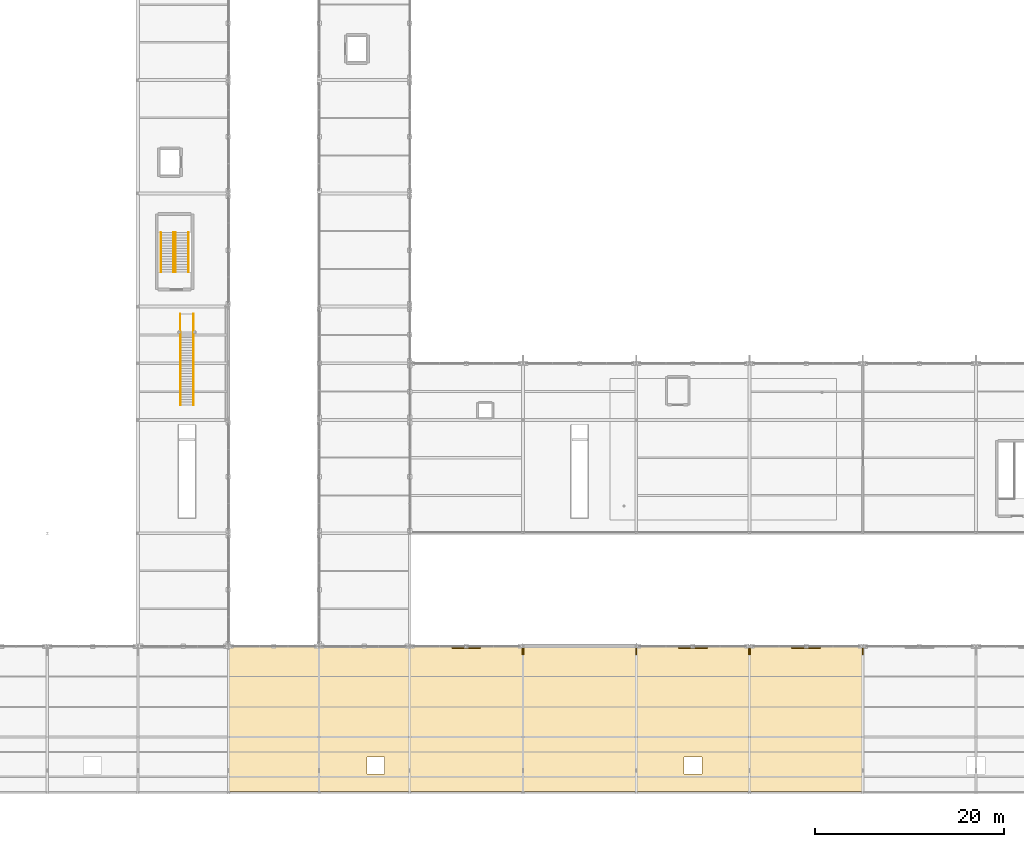
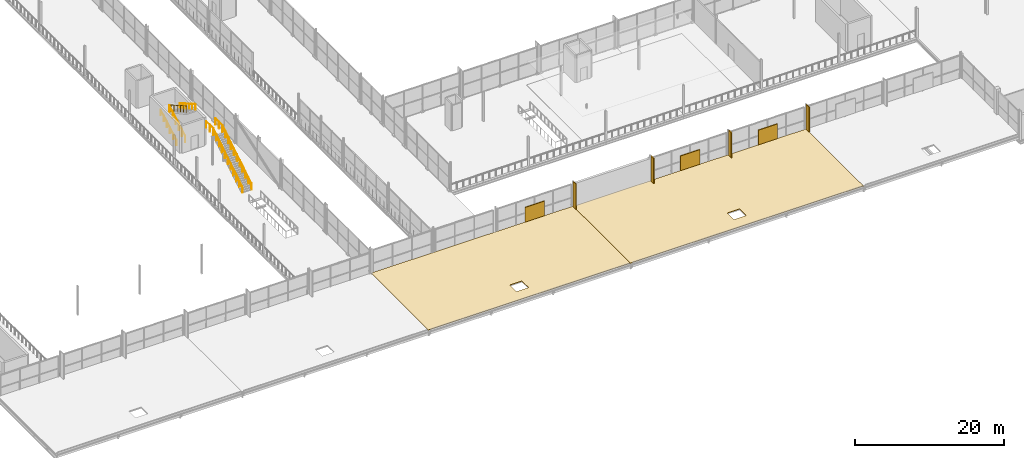
# One storey, part 153 of 159: 8 railings, 6 coverings, 3 shading devices.
"""IFC4 building model written with IfcOpenShell, lengths in metres."""

from ifc_helpers import new_model, si_unit, direction, frame, origin, origin_2d, place, context, subcontext, project, spatial, polyline, rectangle, circle, outline, extrude, material, layer, layer_set, type_object, element, save


model = new_model("IFC4")

# Units and contexts
model_context = context("Model", 3, precision=1e-05, world=origin(), true_north=direction((0.0, 1.0)))
body_context = subcontext(model_context, "Body", "Model", "MODEL_VIEW")
ifc_project = project(units=[si_unit("LENGTHUNIT", "METRE"), si_unit("AREAUNIT", "SQUARE_METRE"), si_unit("VOLUMEUNIT", "CUBIC_METRE"), si_unit("PLANEANGLEUNIT", "RADIAN"), si_unit("MASSUNIT", "GRAM", prefix="KILO")], contexts=[model_context])

# Site, building, storey
site_placement = place(None, origin())
site = spatial("IfcSite", under=ifc_project, at=site_placement, CompositionType="ELEMENT")
building_placement = place(site_placement, origin())
building = spatial("IfcBuilding", under=site, at=building_placement, Name="Merenkruunu Market Hall", CompositionType="ELEMENT")
storey_placement = place(building_placement, frame((0.0, 0.0, 5.39990234375)))
storey = spatial("IfcBuildingStorey", under=building, at=storey_placement, Name="L01", CompositionType="ELEMENT", Elevation=5.39990234375)

# Coverings
ifc_material_1 = material(Name="Precast concrete C40/50", Category="concrete")
ifc_layer_1 = layer(ifc_material_1, 0.139892578125)
ifc_layer_set_1 = layer_set([ifc_layer_1], Name="Precast concrete C40/50")
covering_type_1 = type_object("IfcCoveringType", Name="Architectural Precast Sun Fin CLD02", PredefinedType="CLADDING", material=ifc_layer_set_1)
covering_1_placement = place(storey_placement, frame((0.0, 0.0, 0.68017578125)))
element("IfcCovering", 1, at=covering_1_placement, inside=storey, type_object=covering_type_1, Name="FIN-S-L01-053", PredefinedType="CLADDING", context=body_context, shape_type="SweptSolid", body=[
    extrude(outline(polyline([(88.72998046875, 14.72998046875), (88.8701171875, 14.72998046875), (88.8701171875, 15.451904296875), (88.72998046875, 15.451904296875), (88.72998046875, 14.72998046875)])), origin(), (0.0, 0.0, 1.0), 4.119873046875),
])
covering_2_placement = place(storey_placement, frame((0.0, 0.0, 0.68017578125)))
element("IfcCovering", 2, at=covering_2_placement, inside=storey, type_object=covering_type_1, Name="FIN-S-L01-056", PredefinedType="CLADDING", context=body_context, shape_type="SweptSolid", body=[
    extrude(outline(polyline([(100.72998046875, 14.72998046875), (100.8701171875, 14.72998046875), (100.8701171875, 15.451904296875), (100.72998046875, 15.451904296875), (100.72998046875, 14.72998046875)])), origin(), (0.0, 0.0, 1.0), 4.119873046875),
])
covering_3_placement = place(storey_placement, frame((0.0, 0.0, 0.68017578125)))
element("IfcCovering", 3, at=covering_3_placement, inside=storey, type_object=covering_type_1, Name="FIN-S-L01-059", PredefinedType="CLADDING", context=body_context, shape_type="SweptSolid", body=[
    extrude(outline(polyline([(112.72998046875, 14.72998046875), (112.8701171875, 14.72998046875), (112.8701171875, 15.451904296875), (112.72998046875, 15.451904296875), (112.72998046875, 14.72998046875)])), origin(), (0.0, 0.0, 1.0), 4.119873046875),
])
covering_4_placement = place(storey_placement, frame((0.0, 0.0, 0.68017578125)))
element("IfcCovering", 4, at=covering_4_placement, inside=storey, type_object=covering_type_1, Name="FIN-S-L01-062", PredefinedType="CLADDING", context=body_context, shape_type="SweptSolid", body=[
    extrude(outline(polyline([(124.72998046875, 14.72998046875), (124.8701171875, 14.72998046875), (124.8701171875, 15.451904296875), (124.72998046875, 15.451904296875), (124.72998046875, 14.72998046875)])), origin(), (0.0, 0.0, 1.0), 4.119873046875),
])

# Railings
ifc_material_2 = material(Name="Brushed stainless steel", Category="steel")
railing_type_1 = type_object("IfcRailingType", Name="Gallery Balustrade Guard GR01", PredefinedType="BALUSTRADE", material=ifc_material_2)
railing_1_placement = place(storey_placement, frame((51.7900390625, 55.25, 0.0)))
element("IfcRailing", 5, at=railing_1_placement, inside=storey, type_object=railing_type_1, Name="RAIL-L01-0023", PredefinedType="BALUSTRADE", context=body_context, shape_type="SweptSolid", body=[
    extrude(circle(Radius=0.02392578125, at=origin_2d()), frame((0.0, 0.0, 1.076171875), z_axis=(0.0, 0.868227612608, 0.496166114024), x_axis=(-1.0, 0.0, 0.0)), (0.0, 0.0, 1.0), 4.83740234375),
    extrude(circle(Radius=0.02099609375, at=origin_2d()), origin(), (0.0, 0.0, 1.0), 1.052001953125),
    extrude(circle(Radius=0.02099609375, at=origin_2d()), frame((0.0, 0.840087890625, 0.47998046875)), (0.0, 0.0, 1.0), 1.052001953125),
    extrude(circle(Radius=0.02099609375, at=origin_2d()), frame((0.0, 1.679931640625, 0.9599609375)), (0.0, 0.0, 1.0), 1.052001953125),
    extrude(circle(Radius=0.02099609375, at=origin_2d()), frame((0.0, 2.52001953125, 1.440185546875)), (0.0, 0.0, 1.0), 1.052001953125),
    extrude(circle(Radius=0.02099609375, at=origin_2d()), frame((0.0, 3.35986328125, 1.920166015625)), (0.0, 0.0, 1.0), 1.052001953125),
    extrude(circle(Radius=0.02099609375, at=origin_2d()), frame((0.0, 4.199951171875, 2.400146484375)), (0.0, 0.0, 1.0), 1.052001953125),
])
railing_2_placement = place(storey_placement, frame((52.010009765625, 59.449951171875, 2.400146484375)))
element("IfcRailing", 6, at=railing_2_placement, inside=storey, type_object=railing_type_1, Name="RAIL-L01-0024", PredefinedType="BALUSTRADE", context=body_context, shape_type="SweptSolid", body=[
    extrude(circle(Radius=0.02392578125, at=origin_2d()), frame((0.0, 0.0, 1.076171875), z_axis=(0.0, -0.868249353848, 0.496128067682), x_axis=(1.0, 0.0, 0.0)), (0.0, 0.0, 1.0), 4.837158203125),
    extrude(circle(Radius=0.02099609375, at=origin_2d()), origin(), (0.0, 0.0, 1.0), 1.052001953125),
    extrude(circle(Radius=0.02099609375, at=origin_2d()), frame((0.0, -0.840087890625, 0.47998046875)), (0.0, 0.0, 1.0), 1.052001953125),
    extrude(circle(Radius=0.02099609375, at=origin_2d()), frame((0.0, -1.679931640625, 0.9599609375)), (0.0, 0.0, 1.0), 1.052001953125),
    extrude(circle(Radius=0.02099609375, at=origin_2d()), frame((0.0, -2.52001953125, 1.43994140625)), (0.0, 0.0, 1.0), 1.052001953125),
    extrude(circle(Radius=0.02099609375, at=origin_2d()), frame((0.0, -3.35986328125, 1.919921875)), (0.0, 0.0, 1.0), 1.052001953125),
    extrude(circle(Radius=0.02099609375, at=origin_2d()), frame((0.0, -4.199951171875, 2.39990234375)), (0.0, 0.0, 1.0), 1.052001953125),
])
railing_3_placement = place(storey_placement, frame((52.489990234375, 41.199951171875, 0.0)))
element("IfcRailing", 7, at=railing_3_placement, inside=storey, type_object=railing_type_1, Name="RAIL-L01-0114", PredefinedType="BALUSTRADE", context=body_context, shape_type="SweptSolid", body=[
    extrude(circle(Radius=0.02392578125, at=origin_2d()), frame((0.0, 0.0, 1.076171875), z_axis=(0.0, 0.848612960753, 0.529014217996), x_axis=(-1.0, 0.0, 0.0)), (0.0, 0.0, 1.0), 9.073486328125),
    extrude(circle(Radius=0.02392578125, at=origin_2d()), frame((0.0, 7.699951171875, 5.8759765625), z_axis=(0.0, 1.0, 0.0), x_axis=(-1.0, 0.0, 0.0)), (0.0, 0.0, 1.0), 1.93017578125),
    extrude(circle(Radius=0.02099609375, at=origin_2d()), origin(), (0.0, 0.0, 1.0), 1.052001953125),
    extrude(circle(Radius=0.02099609375, at=origin_2d()), frame((0.0, 0.77001953125, 0.47998046875)), (0.0, 0.0, 1.0), 1.052001953125),
    extrude(circle(Radius=0.02099609375, at=origin_2d()), frame((0.0, 1.5400390625, 0.9599609375)), (0.0, 0.0, 1.0), 1.052001953125),
    extrude(circle(Radius=0.02099609375, at=origin_2d()), frame((0.0, 2.31005859375, 1.43994140625)), (0.0, 0.0, 1.0), 1.052001953125),
    extrude(circle(Radius=0.02099609375, at=origin_2d()), frame((0.0, 3.080078125, 1.919921875)), (0.0, 0.0, 1.0), 1.052001953125),
    extrude(circle(Radius=0.02099609375, at=origin_2d()), frame((0.0, 3.85009765625, 2.39990234375)), (0.0, 0.0, 1.0), 1.052001953125),
    extrude(circle(Radius=0.02099609375, at=origin_2d()), frame((0.0, 4.619873046875, 2.880126953125)), (0.0, 0.0, 1.0), 1.052001953125),
    extrude(circle(Radius=0.02099609375, at=origin_2d()), frame((0.0, 5.389892578125, 3.360107421875)), (0.0, 0.0, 1.0), 1.052001953125),
    extrude(circle(Radius=0.02099609375, at=origin_2d()), frame((0.0, 6.159912109375, 3.840087890625)), (0.0, 0.0, 1.0), 1.052001953125),
    extrude(circle(Radius=0.02099609375, at=origin_2d()), frame((0.0, 6.929931640625, 4.320068359375)), (0.0, 0.0, 1.0), 1.052001953125),
    extrude(circle(Radius=0.02099609375, at=origin_2d()), frame((0.0, 7.699951171875, 4.800048828125)), (0.0, 0.0, 1.0), 1.052001953125),
    extrude(circle(Radius=0.02099609375, at=origin_2d()), frame((0.0, 8.6650390625, 4.800048828125)), (0.0, 0.0, 1.0), 1.052001953125),
    extrude(circle(Radius=0.02099609375, at=origin_2d()), frame((0.0, 9.630126953125, 4.800048828125)), (0.0, 0.0, 1.0), 1.052001953125),
])
railing_4_placement = place(storey_placement, frame((53.909912109375, 41.199951171875, 0.0)))
element("IfcRailing", 8, at=railing_4_placement, inside=storey, type_object=railing_type_1, Name="RAIL-L01-0116", PredefinedType="BALUSTRADE", context=body_context, shape_type="SweptSolid", body=[
    extrude(circle(Radius=0.02392578125, at=origin_2d()), frame((0.0, 0.0, 1.076171875), z_axis=(0.0, 0.848612960753, 0.529014217996), x_axis=(-1.0, 0.0, 0.0)), (0.0, 0.0, 1.0), 9.073486328125),
    extrude(circle(Radius=0.02392578125, at=origin_2d()), frame((0.0, 7.699951171875, 5.8759765625), z_axis=(0.0, 1.0, 0.0), x_axis=(-1.0, 0.0, 0.0)), (0.0, 0.0, 1.0), 1.93017578125),
    extrude(circle(Radius=0.02099609375, at=origin_2d()), origin(), (0.0, 0.0, 1.0), 1.052001953125),
    extrude(circle(Radius=0.02099609375, at=origin_2d()), frame((0.0, 0.77001953125, 0.47998046875)), (0.0, 0.0, 1.0), 1.052001953125),
    extrude(circle(Radius=0.02099609375, at=origin_2d()), frame((0.0, 1.5400390625, 0.9599609375)), (0.0, 0.0, 1.0), 1.052001953125),
    extrude(circle(Radius=0.02099609375, at=origin_2d()), frame((0.0, 2.31005859375, 1.43994140625)), (0.0, 0.0, 1.0), 1.052001953125),
    extrude(circle(Radius=0.02099609375, at=origin_2d()), frame((0.0, 3.080078125, 1.919921875)), (0.0, 0.0, 1.0), 1.052001953125),
    extrude(circle(Radius=0.02099609375, at=origin_2d()), frame((0.0, 3.85009765625, 2.39990234375)), (0.0, 0.0, 1.0), 1.052001953125),
    extrude(circle(Radius=0.02099609375, at=origin_2d()), frame((0.0, 4.619873046875, 2.880126953125)), (0.0, 0.0, 1.0), 1.052001953125),
    extrude(circle(Radius=0.02099609375, at=origin_2d()), frame((0.0, 5.389892578125, 3.360107421875)), (0.0, 0.0, 1.0), 1.052001953125),
    extrude(circle(Radius=0.02099609375, at=origin_2d()), frame((0.0, 6.159912109375, 3.840087890625)), (0.0, 0.0, 1.0), 1.052001953125),
    extrude(circle(Radius=0.02099609375, at=origin_2d()), frame((0.0, 6.929931640625, 4.320068359375)), (0.0, 0.0, 1.0), 1.052001953125),
    extrude(circle(Radius=0.02099609375, at=origin_2d()), frame((0.0, 7.699951171875, 4.800048828125)), (0.0, 0.0, 1.0), 1.052001953125),
    extrude(circle(Radius=0.02099609375, at=origin_2d()), frame((0.0, 8.6650390625, 4.800048828125)), (0.0, 0.0, 1.0), 1.052001953125),
    extrude(circle(Radius=0.02099609375, at=origin_2d()), frame((0.0, 9.630126953125, 4.800048828125)), (0.0, 0.0, 1.0), 1.052001953125),
])

# Coverings
ifc_material_3 = material(Name="High-albedo white steel roof cladding", Category="steel")
ifc_layer_2 = layer(ifc_material_3, 0.080078125)
ifc_layer_set_2 = layer_set([ifc_layer_2], Name="High-albedo white steel roof cladding")
covering_type_2 = type_object("IfcCoveringType", Name="Insulated White Diamond Roof Panel RFG01", PredefinedType="ROOFING", material=ifc_layer_set_2)
covering_5_placement = place(storey_placement, frame((0.0, 0.0, 0.6005859375)))
element("IfcCovering", 9, at=covering_5_placement, inside=storey, type_object=covering_type_2, Name="COV-RFG-V6-03", PredefinedType="ROOFING", context=body_context, shape_type="SweptSolid", body=[
    extrude(outline(polyline([(57.60009765625, 0.25), (88.800048828125, 0.25), (88.800048828125, 15.580078125), (57.60009765625, 15.580078125), (57.60009765625, 0.25)]), holes=[polyline([(72.25, 2.10009765625), (74.14990234375, 2.10009765625), (74.14990234375, 3.89990234375), (72.25, 3.89990234375), (72.25, 2.10009765625)])]), origin(), (0.0, 0.0, 1.0), 0.080078125),
])
covering_6_placement = place(storey_placement, frame((0.0, 0.0, 0.6005859375)))
element("IfcCovering", 10, at=covering_6_placement, inside=storey, type_object=covering_type_2, Name="COV-RFG-V6-04", PredefinedType="ROOFING", context=body_context, shape_type="SweptSolid", body=[
    extrude(outline(polyline([(88.800048828125, 0.25), (124.800048828125, 0.25), (124.800048828125, 15.580078125), (88.800048828125, 15.580078125), (88.800048828125, 0.25)]), holes=[polyline([(105.85009765625, 2.10009765625), (107.75, 2.10009765625), (107.75, 3.89990234375), (105.85009765625, 3.89990234375), (105.85009765625, 2.10009765625)])]), origin(), (0.0, 0.0, 1.0), 0.080078125),
])

# Shading devices
ifc_layer_3 = layer(ifc_material_1, 0.1201171875)
ifc_layer_set_3 = layer_set([ifc_layer_3], Name="Precast concrete C40/50")
shading_device_type = type_object("IfcShadingDeviceType", Name="Perforated Precast Brise Soleil Screen BRS01", PredefinedType="USERDEFINED", material=ifc_layer_set_3)
for number, where, z_axis, x_axis, name in (
    (11, (82.800048828125, 15.4599609375, 0.800048828125), (0.0, 0.0, 1.0), (1.0, 0.0, 0.0), "SHD-BRS-01"),
    (12, (106.800048828125, 15.4599609375, 0.800048828125), (0.0, 0.0, 1.0), (1.0, 0.0, 0.0), "SHD-BRS-02"),
    (13, (118.800048828125, 15.4599609375, 0.800048828125), (0.0, 0.0, 1.0), (1.0, 0.0, 0.0), "SHD-BRS-03"),
):
    element("IfcShadingDevice", number, at=place(storey_placement, frame(where, z_axis=z_axis, x_axis=x_axis)), inside=storey, type_object=shading_device_type, Name=name, ObjectType="BRISE_SOLEIL", PredefinedType="USERDEFINED", context=body_context, shape_type="SweptSolid", body=[
        extrude(rectangle(XDim=3.0, YDim=0.1201171875, at=origin_2d()), origin(), (0.0, 0.0, 1.0), 2.39990234375),
    ])

# Railings
railing_type_2 = type_object("IfcRailingType", Name="Stair Pitch Handrail HR01", PredefinedType="HANDRAIL", material=ifc_material_2)
railing_5_placement = place(storey_placement, frame((50.429931640625, 55.25, 0.0)))
element("IfcRailing", 14, at=railing_5_placement, inside=storey, type_object=railing_type_2, Name="RAIL-L01-0025", PredefinedType="HANDRAIL", context=body_context, shape_type="SweptSolid", body=[
    extrude(circle(Radius=0.02392578125, at=origin_2d()), frame((0.0, 0.0, 0.8759765625), z_axis=(0.0, 0.868227612608, 0.496166114024), x_axis=(-1.0, 0.0, 0.0)), (0.0, 0.0, 1.0), 4.83740234375),
    extrude(circle(Radius=0.02099609375, at=origin_2d()), origin(), (0.0, 0.0, 1.0), 0.851806640625),
    extrude(circle(Radius=0.02099609375, at=origin_2d()), frame((0.0, 0.840087890625, 0.47998046875)), (0.0, 0.0, 1.0), 0.851806640625),
    extrude(circle(Radius=0.02099609375, at=origin_2d()), frame((0.0, 1.679931640625, 0.9599609375)), (0.0, 0.0, 1.0), 0.851806640625),
    extrude(circle(Radius=0.02099609375, at=origin_2d()), frame((0.0, 2.52001953125, 1.440185546875)), (0.0, 0.0, 1.0), 0.851806640625),
    extrude(circle(Radius=0.02099609375, at=origin_2d()), frame((0.0, 3.35986328125, 1.920166015625)), (0.0, 0.0, 1.0), 0.851806640625),
    extrude(circle(Radius=0.02099609375, at=origin_2d()), frame((0.0, 4.199951171875, 2.400146484375)), (0.0, 0.0, 1.0), 0.851806640625),
])
railing_6_placement = place(storey_placement, frame((53.3701171875, 59.449951171875, 2.400146484375)))
element("IfcRailing", 15, at=railing_6_placement, inside=storey, type_object=railing_type_2, Name="RAIL-L01-0026", PredefinedType="HANDRAIL", context=body_context, shape_type="SweptSolid", body=[
    extrude(circle(Radius=0.02392578125, at=origin_2d()), frame((0.0, 0.0, 0.8759765625), z_axis=(0.0, -0.868249353848, 0.496128067682), x_axis=(1.0, 0.0, 0.0)), (0.0, 0.0, 1.0), 4.837158203125),
    extrude(circle(Radius=0.02099609375, at=origin_2d()), origin(), (0.0, 0.0, 1.0), 0.851806640625),
    extrude(circle(Radius=0.02099609375, at=origin_2d()), frame((0.0, -0.840087890625, 0.47998046875)), (0.0, 0.0, 1.0), 0.851806640625),
    extrude(circle(Radius=0.02099609375, at=origin_2d()), frame((0.0, -1.679931640625, 0.9599609375)), (0.0, 0.0, 1.0), 0.851806640625),
    extrude(circle(Radius=0.02099609375, at=origin_2d()), frame((0.0, -2.52001953125, 1.43994140625)), (0.0, 0.0, 1.0), 0.851806640625),
    extrude(circle(Radius=0.02099609375, at=origin_2d()), frame((0.0, -3.35986328125, 1.919921875)), (0.0, 0.0, 1.0), 0.851806640625),
    extrude(circle(Radius=0.02099609375, at=origin_2d()), frame((0.0, -4.199951171875, 2.39990234375)), (0.0, 0.0, 1.0), 0.851806640625),
])
for number, where, name in (
    (16, (52.52001953125, 41.199951171875, 0.0), "RAIL-L01-0115"),
    (17, (53.8798828125, 41.199951171875, 0.0), "RAIL-L01-0117"),
):
    element("IfcRailing", number, at=place(storey_placement, frame(where)), inside=storey, type_object=railing_type_2, Name=name, PredefinedType="HANDRAIL", context=body_context, shape_type="SweptSolid", body=[
        extrude(circle(Radius=0.02392578125, at=origin_2d()), frame((0.0, 0.0, 0.8759765625), z_axis=(0.0, 0.848612960753, 0.529014217996), x_axis=(-1.0, 0.0, 0.0)), (0.0, 0.0, 1.0), 9.073486328125),
        extrude(circle(Radius=0.02099609375, at=origin_2d()), origin(), (0.0, 0.0, 1.0), 0.851806640625),
        extrude(circle(Radius=0.02099609375, at=origin_2d()), frame((0.0, 0.77001953125, 0.47998046875)), (0.0, 0.0, 1.0), 0.851806640625),
        extrude(circle(Radius=0.02099609375, at=origin_2d()), frame((0.0, 1.5400390625, 0.9599609375)), (0.0, 0.0, 1.0), 0.851806640625),
        extrude(circle(Radius=0.02099609375, at=origin_2d()), frame((0.0, 2.31005859375, 1.43994140625)), (0.0, 0.0, 1.0), 0.851806640625),
        extrude(circle(Radius=0.02099609375, at=origin_2d()), frame((0.0, 3.080078125, 1.919921875)), (0.0, 0.0, 1.0), 0.851806640625),
        extrude(circle(Radius=0.02099609375, at=origin_2d()), frame((0.0, 3.85009765625, 2.39990234375)), (0.0, 0.0, 1.0), 0.851806640625),
        extrude(circle(Radius=0.02099609375, at=origin_2d()), frame((0.0, 4.619873046875, 2.880126953125)), (0.0, 0.0, 1.0), 0.851806640625),
        extrude(circle(Radius=0.02099609375, at=origin_2d()), frame((0.0, 5.389892578125, 3.360107421875)), (0.0, 0.0, 1.0), 0.851806640625),
        extrude(circle(Radius=0.02099609375, at=origin_2d()), frame((0.0, 6.159912109375, 3.840087890625)), (0.0, 0.0, 1.0), 0.851806640625),
        extrude(circle(Radius=0.02099609375, at=origin_2d()), frame((0.0, 6.929931640625, 4.320068359375)), (0.0, 0.0, 1.0), 0.851806640625),
        extrude(circle(Radius=0.02099609375, at=origin_2d()), frame((0.0, 7.699951171875, 4.800048828125)), (0.0, 0.0, 1.0), 0.851806640625),
    ])

save(model, "model.ifc")
